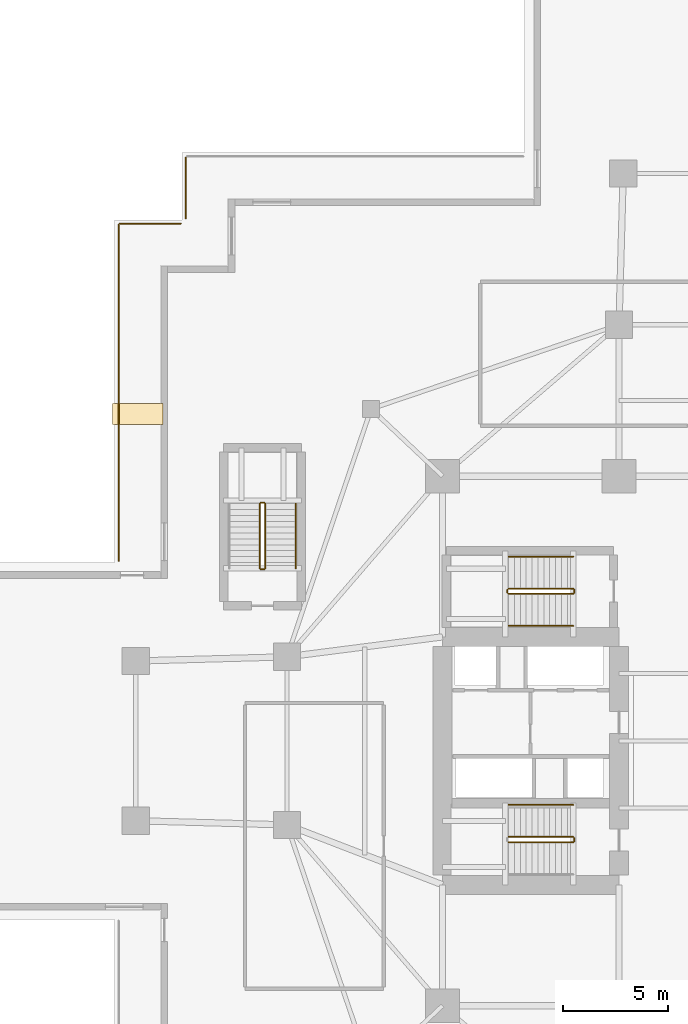
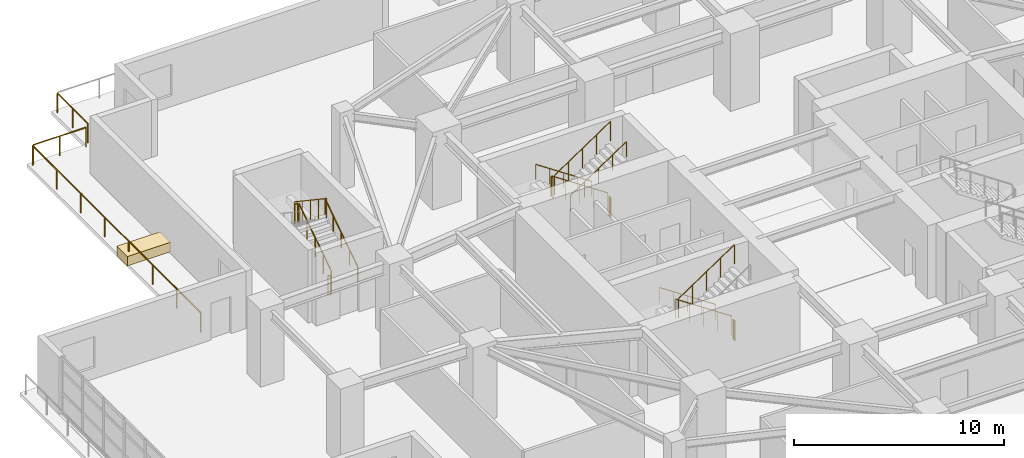
# One storey, part 22 of 24: 18 railings, 1 covering.
"""IFC4 building model written with IfcOpenShell, lengths in metres."""

from ifc_helpers import new_model, si_unit, direction, frame, origin, origin_2d, place, context, subcontext, project, spatial, rectangle, circle, extrude, material, layer, layer_set, type_object, element, save


model = new_model("IFC4")

# Units and contexts
model_context = context("Model", 3, precision=1e-05, world=origin(), true_north=direction((0.0, 1.0)))
body_context = subcontext(model_context, "Body", "Model", "MODEL_VIEW")
ifc_project = project(units=[si_unit("LENGTHUNIT", "METRE"), si_unit("AREAUNIT", "SQUARE_METRE"), si_unit("VOLUMEUNIT", "CUBIC_METRE"), si_unit("PLANEANGLEUNIT", "RADIAN"), si_unit("MASSUNIT", "GRAM", prefix="KILO")], contexts=[model_context])

# Site, building, storey
site_placement = place(None, origin())
site = spatial("IfcSite", under=ifc_project, at=site_placement, CompositionType="ELEMENT")
building_placement = place(site_placement, origin())
building = spatial("IfcBuilding", under=site, at=building_placement, Name="Qingluan Cross Belvedere", CompositionType="ELEMENT")
storey_placement = place(building_placement, frame((0.0, 0.0, 14.699951171875)))
storey = spatial("IfcBuildingStorey", under=building, at=storey_placement, Name="L04", CompositionType="ELEMENT", Elevation=14.699951171875)

# Railings
ifc_material_1 = material(Name="Brushed stainless steel tubular handrail", Category="steel")
railing_type_1 = type_object("IfcRailingType", Name="StairPitchHandrail_900", PredefinedType="HANDRAIL", material=ifc_material_1)
for number, where, name in (
    (1, (-6.179931640625, -3.050048828125, 0.1875), "L04 ST1 stair handrail 1"),
    (2, (-6.179931640625, 8.77001953125, 0.1875), "L04 ST3 stair handrail 1"),
):
    element("IfcRailing", number, at=place(storey_placement, frame(where)), inside=storey, type_object=railing_type_1, Name=name, PredefinedType="HANDRAIL", context=body_context, shape_type="SweptSolid", body=[
        extrude(circle(Radius=0.02392578125, at=origin_2d()), frame((0.0, 0.0, 0.8759765625), z_axis=(-0.830913701846, 0.0, 0.55640131208), x_axis=(0.0, -1.0, 0.0)), (0.0, 0.0, 1.0), 3.706787109375),
        extrude(circle(Radius=0.02099609375, at=origin_2d()), origin(), (0.0, 0.0, 1.0), 0.851806640625),
        extrude(circle(Radius=0.02099609375, at=origin_2d()), frame((-0.77001953125, 0.0, 0.515625)), (0.0, 0.0, 1.0), 0.851806640625),
        extrude(circle(Radius=0.02099609375, at=origin_2d()), frame((-1.5400390625, 0.0, 1.03125)), (0.0, 0.0, 1.0), 0.851806640625),
        extrude(circle(Radius=0.02099609375, at=origin_2d()), frame((-2.31005859375, 0.0, 1.546875)), (0.0, 0.0, 1.0), 0.851806640625),
        extrude(circle(Radius=0.02099609375, at=origin_2d()), frame((-3.080078125, 0.0, 2.0625)), (0.0, 0.0, 1.0), 0.851806640625),
    ])
railing_1_placement = place(storey_placement, frame((-9.260009765625, 5.469970703125, 2.4375)))
element("IfcRailing", 3, at=railing_1_placement, inside=storey, type_object=railing_type_1, Name="L04 ST3 stair handrail 2", PredefinedType="HANDRAIL", context=body_context, shape_type="SweptSolid", body=[
    extrude(circle(Radius=0.02392578125, at=origin_2d()), frame((0.0, 0.0, 0.8759765625), z_axis=(0.830913701846, 0.0, 0.55640131208), x_axis=(0.0, 1.0, 0.0)), (0.0, 0.0, 1.0), 3.706787109375),
    extrude(circle(Radius=0.02099609375, at=origin_2d()), origin(), (0.0, 0.0, 1.0), 0.851806640625),
    extrude(circle(Radius=0.02099609375, at=origin_2d()), frame((0.77001953125, 0.0, 0.515625)), (0.0, 0.0, 1.0), 0.851806640625),
    extrude(circle(Radius=0.02099609375, at=origin_2d()), frame((1.5400390625, 0.0, 1.03125)), (0.0, 0.0, 1.0), 0.851806640625),
    extrude(circle(Radius=0.02099609375, at=origin_2d()), frame((2.31005859375, 0.0, 1.546875)), (0.0, 0.0, 1.0), 0.851806640625),
    extrude(circle(Radius=0.02099609375, at=origin_2d()), frame((3.080078125, 0.0, 2.0625)), (0.0, 0.0, 1.0), 0.851806640625),
])
railing_2_placement = place(storey_placement, frame((-19.389892578125, 8.2099609375, 0.1875)))
element("IfcRailing", 4, at=railing_2_placement, inside=storey, type_object=railing_type_1, Name="L04 ST5 stair handrail 1", PredefinedType="HANDRAIL", context=body_context, shape_type="SweptSolid", body=[
    extrude(circle(Radius=0.02392578125, at=origin_2d()), frame((0.0, 0.0, 0.8759765625), z_axis=(0.0, 0.830913701846, 0.55640131208), x_axis=(-1.0, 0.0, 0.0)), (0.0, 0.0, 1.0), 3.706787109375),
    extrude(circle(Radius=0.02099609375, at=origin_2d()), origin(), (0.0, 0.0, 1.0), 0.851806640625),
    extrude(circle(Radius=0.02099609375, at=origin_2d()), frame((0.0, 0.77001953125, 0.515625)), (0.0, 0.0, 1.0), 0.851806640625),
    extrude(circle(Radius=0.02099609375, at=origin_2d()), frame((0.0, 1.5400390625, 1.03125)), (0.0, 0.0, 1.0), 0.851806640625),
    extrude(circle(Radius=0.02099609375, at=origin_2d()), frame((0.0, 2.31005859375, 1.546875)), (0.0, 0.0, 1.0), 0.851806640625),
    extrude(circle(Radius=0.02099609375, at=origin_2d()), frame((0.0, 3.080078125, 2.0625)), (0.0, 0.0, 1.0), 0.851806640625),
])
ifc_material_2 = material(Name="Painted steel stair well guard", Category="steel")
railing_type_2 = type_object("IfcRailingType", Name="StairWellGuard_1150", PredefinedType="BALUSTRADE", material=ifc_material_2)
railing_3_placement = place(storey_placement, frame((-6.179931640625, -4.570068359375, 0.1875)))
element("IfcRailing", 5, at=railing_3_placement, inside=storey, type_object=railing_type_2, Name="L04 ST1 stair guard 1", PredefinedType="BALUSTRADE", context=body_context, shape_type="SweptSolid", body=[
    extrude(circle(Radius=0.02392578125, at=origin_2d()), frame((0.0, 0.0, 1.1259765625), z_axis=(-0.830913701846, 0.0, 0.55640131208), x_axis=(0.0, -1.0, 0.0)), (0.0, 0.0, 1.0), 3.706787109375),
    extrude(circle(Radius=0.02099609375, at=origin_2d()), origin(), (0.0, 0.0, 1.0), 1.101806640625),
    extrude(circle(Radius=0.02099609375, at=origin_2d()), frame((-0.77001953125, 0.0, 0.515625)), (0.0, 0.0, 1.0), 1.101806640625),
    extrude(circle(Radius=0.02099609375, at=origin_2d()), frame((-1.5400390625, 0.0, 1.03125)), (0.0, 0.0, 1.0), 1.101806640625),
    extrude(circle(Radius=0.02099609375, at=origin_2d()), frame((-2.31005859375, 0.0, 1.546875)), (0.0, 0.0, 1.0), 1.101806640625),
    extrude(circle(Radius=0.02099609375, at=origin_2d()), frame((-3.080078125, 0.0, 2.0625)), (0.0, 0.0, 1.0), 1.101806640625),
])
railing_4_placement = place(storey_placement, frame((-9.260009765625, -4.830078125, 2.4375)))
element("IfcRailing", 6, at=railing_4_placement, inside=storey, type_object=railing_type_2, Name="L04 ST1 stair guard 3", PredefinedType="BALUSTRADE", context=body_context, shape_type="SweptSolid", body=[
    extrude(circle(Radius=0.02392578125, at=origin_2d()), frame((0.0, 0.0, 1.1259765625), z_axis=(0.830913701846, 0.0, 0.55640131208), x_axis=(0.0, 1.0, 0.0)), (0.0, 0.0, 1.0), 3.706787109375),
    extrude(circle(Radius=0.02099609375, at=origin_2d()), origin(), (0.0, 0.0, 1.0), 1.101806640625),
    extrude(circle(Radius=0.02099609375, at=origin_2d()), frame((0.77001953125, 0.0, 0.515625)), (0.0, 0.0, 1.0), 1.101806640625),
    extrude(circle(Radius=0.02099609375, at=origin_2d()), frame((1.5400390625, 0.0, 1.03125)), (0.0, 0.0, 1.0), 1.101806640625),
    extrude(circle(Radius=0.02099609375, at=origin_2d()), frame((2.31005859375, 0.0, 1.546875)), (0.0, 0.0, 1.0), 1.101806640625),
    extrude(circle(Radius=0.02099609375, at=origin_2d()), frame((3.080078125, 0.0, 2.0625)), (0.0, 0.0, 1.0), 1.101806640625),
])
railing_5_placement = place(storey_placement, frame((-6.1298828125, -4.6201171875, 0.0)))
element("IfcRailing", 7, at=railing_5_placement, inside=storey, type_object=railing_type_2, Name="L04 ST1 stair guard 4", PredefinedType="BALUSTRADE", context=body_context, shape_type="SweptSolid", body=[
    extrude(circle(Radius=0.02392578125, at=origin_2d()), frame((0.0, 0.0, 1.1259765625), z_axis=(0.0, -1.0, 0.0), x_axis=(1.0, 0.0, 0.0)), (0.0, 0.0, 1.0), 0.159912109375),
    extrude(circle(Radius=0.02099609375, at=origin_2d()), origin(), (0.0, 0.0, 1.0), 1.101806640625),
    extrude(circle(Radius=0.02099609375, at=origin_2d()), frame((0.0, -0.159912109375, 0.0)), (0.0, 0.0, 1.0), 1.101806640625),
])
railing_6_placement = place(storey_placement, frame((-6.179931640625, 7.25, 0.1875)))
element("IfcRailing", 8, at=railing_6_placement, inside=storey, type_object=railing_type_2, Name="L04 ST3 stair guard 1", PredefinedType="BALUSTRADE", context=body_context, shape_type="SweptSolid", body=[
    extrude(circle(Radius=0.02392578125, at=origin_2d()), frame((0.0, 0.0, 1.1259765625), z_axis=(-0.830913701846, 0.0, 0.55640131208), x_axis=(0.0, -1.0, 0.0)), (0.0, 0.0, 1.0), 3.706787109375),
    extrude(circle(Radius=0.02099609375, at=origin_2d()), origin(), (0.0, 0.0, 1.0), 1.101806640625),
    extrude(circle(Radius=0.02099609375, at=origin_2d()), frame((-0.77001953125, 0.0, 0.515625)), (0.0, 0.0, 1.0), 1.101806640625),
    extrude(circle(Radius=0.02099609375, at=origin_2d()), frame((-1.5400390625, 0.0, 1.03125)), (0.0, 0.0, 1.0), 1.101806640625),
    extrude(circle(Radius=0.02099609375, at=origin_2d()), frame((-2.31005859375, 0.0, 1.546875)), (0.0, 0.0, 1.0), 1.101806640625),
    extrude(circle(Radius=0.02099609375, at=origin_2d()), frame((-3.080078125, 0.0, 2.0625)), (0.0, 0.0, 1.0), 1.101806640625),
])
railing_7_placement = place(storey_placement, frame((-9.31005859375, 7.199951171875, 2.25)))
element("IfcRailing", 9, at=railing_7_placement, inside=storey, type_object=railing_type_2, Name="L04 ST3 stair guard 2", PredefinedType="BALUSTRADE", context=body_context, shape_type="SweptSolid", body=[
    extrude(circle(Radius=0.02392578125, at=origin_2d()), frame((0.0, 0.0, 1.1259765625), z_axis=(0.0, -1.0, 0.0), x_axis=(1.0, 0.0, 0.0)), (0.0, 0.0, 1.0), 0.159912109375),
    extrude(circle(Radius=0.02099609375, at=origin_2d()), origin(), (0.0, 0.0, 1.0), 1.101806640625),
    extrude(circle(Radius=0.02099609375, at=origin_2d()), frame((0.0, -0.159912109375, 0.0)), (0.0, 0.0, 1.0), 1.101806640625),
])
railing_8_placement = place(storey_placement, frame((-9.260009765625, 6.989990234375, 2.4375)))
element("IfcRailing", 10, at=railing_8_placement, inside=storey, type_object=railing_type_2, Name="L04 ST3 stair guard 3", PredefinedType="BALUSTRADE", context=body_context, shape_type="SweptSolid", body=[
    extrude(circle(Radius=0.02392578125, at=origin_2d()), frame((0.0, 0.0, 1.1259765625), z_axis=(0.830913701846, 0.0, 0.55640131208), x_axis=(0.0, 1.0, 0.0)), (0.0, 0.0, 1.0), 3.706787109375),
    extrude(circle(Radius=0.02099609375, at=origin_2d()), origin(), (0.0, 0.0, 1.0), 1.101806640625),
    extrude(circle(Radius=0.02099609375, at=origin_2d()), frame((0.77001953125, 0.0, 0.515625)), (0.0, 0.0, 1.0), 1.101806640625),
    extrude(circle(Radius=0.02099609375, at=origin_2d()), frame((1.5400390625, 0.0, 1.03125)), (0.0, 0.0, 1.0), 1.101806640625),
    extrude(circle(Radius=0.02099609375, at=origin_2d()), frame((2.31005859375, 0.0, 1.546875)), (0.0, 0.0, 1.0), 1.101806640625),
    extrude(circle(Radius=0.02099609375, at=origin_2d()), frame((3.080078125, 0.0, 2.0625)), (0.0, 0.0, 1.0), 1.101806640625),
])
railing_9_placement = place(storey_placement, frame((-6.1298828125, 7.199951171875, 0.0)))
element("IfcRailing", 11, at=railing_9_placement, inside=storey, type_object=railing_type_2, Name="L04 ST3 stair guard 4", PredefinedType="BALUSTRADE", context=body_context, shape_type="SweptSolid", body=[
    extrude(circle(Radius=0.02392578125, at=origin_2d()), frame((0.0, 0.0, 1.1259765625), z_axis=(0.0, -1.0, 0.0), x_axis=(1.0, 0.0, 0.0)), (0.0, 0.0, 1.0), 0.159912109375),
    extrude(circle(Radius=0.02099609375, at=origin_2d()), origin(), (0.0, 0.0, 1.0), 1.101806640625),
    extrude(circle(Radius=0.02099609375, at=origin_2d()), frame((0.0, -0.159912109375, 0.0)), (0.0, 0.0, 1.0), 1.101806640625),
])
railing_10_placement = place(storey_placement, frame((-20.840087890625, 8.2099609375, 0.1875)))
element("IfcRailing", 12, at=railing_10_placement, inside=storey, type_object=railing_type_2, Name="L04 ST5 stair guard 1", PredefinedType="BALUSTRADE", context=body_context, shape_type="SweptSolid", body=[
    extrude(circle(Radius=0.02392578125, at=origin_2d()), frame((0.0, 0.0, 1.1259765625), z_axis=(0.0, 0.830913701846, 0.55640131208), x_axis=(-1.0, 0.0, 0.0)), (0.0, 0.0, 1.0), 3.706787109375),
    extrude(circle(Radius=0.02099609375, at=origin_2d()), origin(), (0.0, 0.0, 1.0), 1.101806640625),
    extrude(circle(Radius=0.02099609375, at=origin_2d()), frame((0.0, 0.77001953125, 0.515625)), (0.0, 0.0, 1.0), 1.101806640625),
    extrude(circle(Radius=0.02099609375, at=origin_2d()), frame((0.0, 1.5400390625, 1.03125)), (0.0, 0.0, 1.0), 1.101806640625),
    extrude(circle(Radius=0.02099609375, at=origin_2d()), frame((0.0, 2.31005859375, 1.546875)), (0.0, 0.0, 1.0), 1.101806640625),
    extrude(circle(Radius=0.02099609375, at=origin_2d()), frame((0.0, 3.080078125, 2.0625)), (0.0, 0.0, 1.0), 1.101806640625),
])
railing_11_placement = place(storey_placement, frame((-20.889892578125, 11.340087890625, 2.25)))
element("IfcRailing", 13, at=railing_11_placement, inside=storey, type_object=railing_type_2, Name="L04 ST5 stair guard 2", PredefinedType="BALUSTRADE", context=body_context, shape_type="SweptSolid", body=[
    extrude(circle(Radius=0.02392578125, at=origin_2d()), frame((0.0, 0.0, 1.1259765625), z_axis=(-1.0, 0.0, 0.0), x_axis=(0.0, -1.0, 0.0)), (0.0, 0.0, 1.0), 0.16015625),
    extrude(circle(Radius=0.02099609375, at=origin_2d()), origin(), (0.0, 0.0, 1.0), 1.101806640625),
    extrude(circle(Radius=0.02099609375, at=origin_2d()), frame((-0.16015625, 0.0, 0.0)), (0.0, 0.0, 1.0), 1.101806640625),
])
railing_12_placement = place(storey_placement, frame((-21.10009765625, 11.2900390625, 2.4375)))
element("IfcRailing", 14, at=railing_12_placement, inside=storey, type_object=railing_type_2, Name="L04 ST5 stair guard 3", PredefinedType="BALUSTRADE", context=body_context, shape_type="SweptSolid", body=[
    extrude(circle(Radius=0.02392578125, at=origin_2d()), frame((0.0, 0.0, 1.1259765625), z_axis=(0.0, -0.830913701846, 0.55640131208), x_axis=(1.0, 0.0, 0.0)), (0.0, 0.0, 1.0), 3.706787109375),
    extrude(circle(Radius=0.02099609375, at=origin_2d()), origin(), (0.0, 0.0, 1.0), 1.101806640625),
    extrude(circle(Radius=0.02099609375, at=origin_2d()), frame((0.0, -0.77001953125, 0.515625)), (0.0, 0.0, 1.0), 1.101806640625),
    extrude(circle(Radius=0.02099609375, at=origin_2d()), frame((0.0, -1.5400390625, 1.03125)), (0.0, 0.0, 1.0), 1.101806640625),
    extrude(circle(Radius=0.02099609375, at=origin_2d()), frame((0.0, -2.31005859375, 1.546875)), (0.0, 0.0, 1.0), 1.101806640625),
    extrude(circle(Radius=0.02099609375, at=origin_2d()), frame((0.0, -3.080078125, 2.0625)), (0.0, 0.0, 1.0), 1.101806640625),
])
railing_13_placement = place(storey_placement, frame((-20.889892578125, 8.159912109375, 0.0)))
element("IfcRailing", 15, at=railing_13_placement, inside=storey, type_object=railing_type_2, Name="L04 ST5 stair guard 4", PredefinedType="BALUSTRADE", context=body_context, shape_type="SweptSolid", body=[
    extrude(circle(Radius=0.02392578125, at=origin_2d()), frame((0.0, 0.0, 1.1259765625), z_axis=(-1.0, 0.0, 0.0), x_axis=(0.0, -1.0, 0.0)), (0.0, 0.0, 1.0), 0.16015625),
    extrude(circle(Radius=0.02099609375, at=origin_2d()), origin(), (0.0, 0.0, 1.0), 1.101806640625),
    extrude(circle(Radius=0.02099609375, at=origin_2d()), frame((-0.16015625, 0.0, 0.0)), (0.0, 0.0, 1.0), 1.101806640625),
])
ifc_material_3 = material(Name="Laminated glass and stainless steel balustrade", Category="steel")
railing_type_3 = type_object("IfcRailingType", Name="TerraceGuardBalustrade_1150", PredefinedType="BALUSTRADE", material=ifc_material_3)
railing_14_placement = place(storey_placement, frame((-27.820068359375, 8.56005859375, 0.0)))
element("IfcRailing", 16, at=railing_14_placement, inside=storey, type_object=railing_type_3, Name="Terrace guard L04-2", PredefinedType="BALUSTRADE", context=body_context, shape_type="SweptSolid", body=[
    extrude(circle(Radius=0.02392578125, at=origin_2d()), frame((0.0, 0.0, 1.1259765625), z_axis=(0.0, 1.0, 0.0), x_axis=(-1.0, 0.0, 0.0)), (0.0, 0.0, 1.0), 16.0),
    extrude(circle(Radius=0.02099609375, at=origin_2d()), origin(), (0.0, 0.0, 1.0), 1.101806640625),
    extrude(circle(Radius=0.02099609375, at=origin_2d()), frame((0.0, 2.28564453125, 0.0)), (0.0, 0.0, 1.0), 1.101806640625),
    extrude(circle(Radius=0.02099609375, at=origin_2d()), frame((0.0, 4.571533203125, 0.0)), (0.0, 0.0, 1.0), 1.101806640625),
    extrude(circle(Radius=0.02099609375, at=origin_2d()), frame((0.0, 6.857177734375, 0.0)), (0.0, 0.0, 1.0), 1.101806640625),
    extrude(circle(Radius=0.02099609375, at=origin_2d()), frame((0.0, 9.142822265625, 0.0)), (0.0, 0.0, 1.0), 1.101806640625),
    extrude(circle(Radius=0.02099609375, at=origin_2d()), frame((0.0, 11.428466796875, 0.0)), (0.0, 0.0, 1.0), 1.101806640625),
    extrude(circle(Radius=0.02099609375, at=origin_2d()), frame((0.0, 13.71435546875, 0.0)), (0.0, 0.0, 1.0), 1.101806640625),
    extrude(circle(Radius=0.02099609375, at=origin_2d()), frame((0.0, 16.0, 0.0)), (0.0, 0.0, 1.0), 1.101806640625),
])
railing_15_placement = place(storey_placement, frame((-27.760009765625, 24.6201171875, 0.0)))
element("IfcRailing", 17, at=railing_15_placement, inside=storey, type_object=railing_type_3, Name="Terrace guard L04-3", PredefinedType="BALUSTRADE", context=body_context, shape_type="SweptSolid", body=[
    extrude(circle(Radius=0.02392578125, at=origin_2d()), frame((0.0, 0.0, 1.1259765625), z_axis=(1.0, 0.0, 0.0), x_axis=(0.0, 1.0, 0.0)), (0.0, 0.0, 1.0), 2.89990234375),
    extrude(circle(Radius=0.02099609375, at=origin_2d()), origin(), (0.0, 0.0, 1.0), 1.101806640625),
    extrude(circle(Radius=0.02099609375, at=origin_2d()), frame((1.449951171875, 0.0, 0.0)), (0.0, 0.0, 1.0), 1.101806640625),
    extrude(circle(Radius=0.02099609375, at=origin_2d()), frame((2.89990234375, 0.0, 0.0)), (0.0, 0.0, 1.0), 1.101806640625),
])
railing_16_placement = place(storey_placement, frame((-24.6201171875, 24.860107421875, 0.0)))
element("IfcRailing", 18, at=railing_16_placement, inside=storey, type_object=railing_type_3, Name="Terrace guard L04-4", PredefinedType="BALUSTRADE", context=body_context, shape_type="SweptSolid", body=[
    extrude(circle(Radius=0.02392578125, at=origin_2d()), frame((0.0, 0.0, 1.1259765625), z_axis=(0.0, 1.0, 0.0), x_axis=(-1.0, 0.0, 0.0)), (0.0, 0.0, 1.0), 2.89990234375),
    extrude(circle(Radius=0.02099609375, at=origin_2d()), origin(), (0.0, 0.0, 1.0), 1.101806640625),
    extrude(circle(Radius=0.02099609375, at=origin_2d()), frame((0.0, 1.449951171875, 0.0)), (0.0, 0.0, 1.0), 1.101806640625),
    extrude(circle(Radius=0.02099609375, at=origin_2d()), frame((0.0, 2.89990234375, 0.0)), (0.0, 0.0, 1.0), 1.101806640625),
])

# Covering
ifc_material_4 = material(Name="Precast concrete C40", Category="concrete")
ifc_layer = layer(ifc_material_4, 0.550048828125, Name="TerracePlanterBox")
ifc_layer_set = layer_set([ifc_layer], Name="Precast concrete C40")
covering_type = type_object("IfcCoveringType", Name="TerracePlanterBox", PredefinedType="USERDEFINED", material=ifc_layer_set)
covering_placement = place(storey_placement, frame((-26.907958984375, 15.556884765625, 0.0), z_axis=(0.0, 0.0, 1.0), x_axis=(1.0, 0.0, 0.0)))
element("IfcCovering", 19, at=covering_placement, inside=storey, type_object=covering_type, Name="Cascading garden terrace planter L04-2", ObjectType="PLANTER", PredefinedType="USERDEFINED", context=body_context, shape_type="SweptSolid", body=[
    extrude(rectangle(XDim=2.39990234375, YDim=1.0, at=origin_2d()), origin(), (0.0, 0.0, 1.0), 0.550048828125),
])

save(model, "model.ifc")
